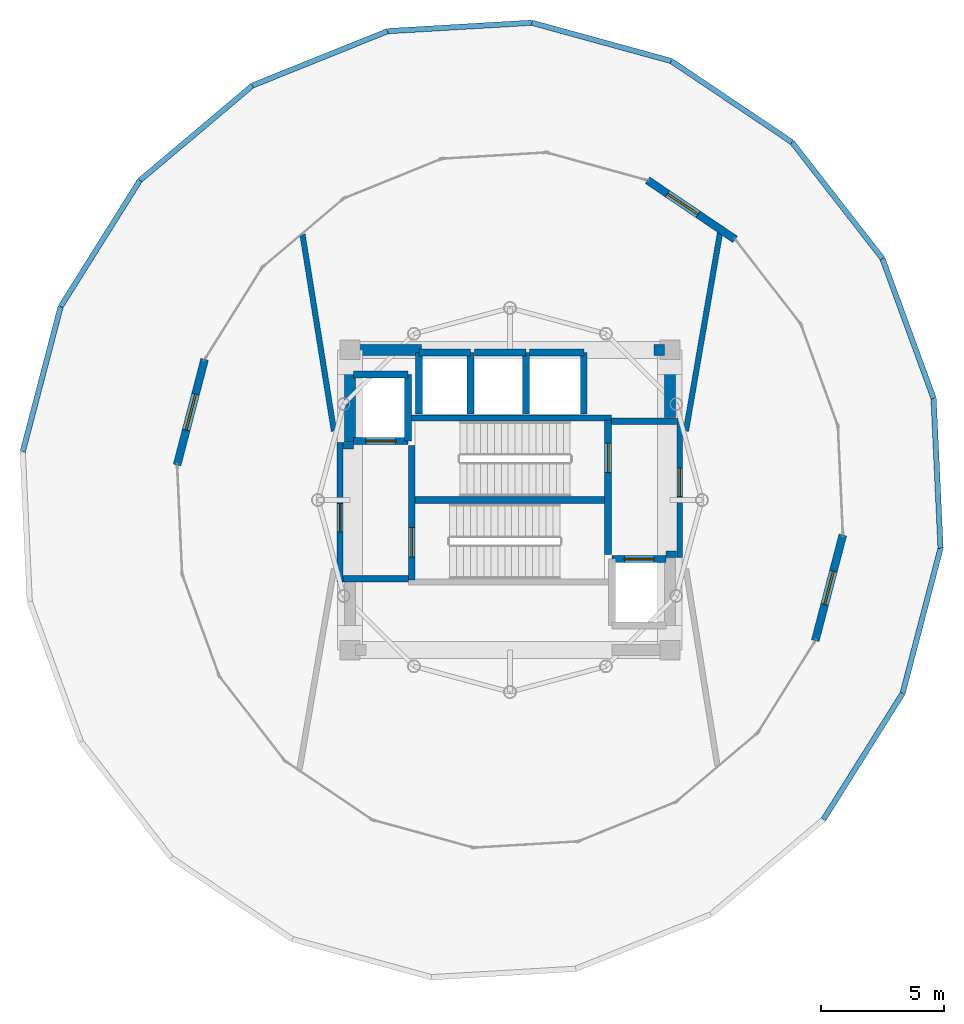
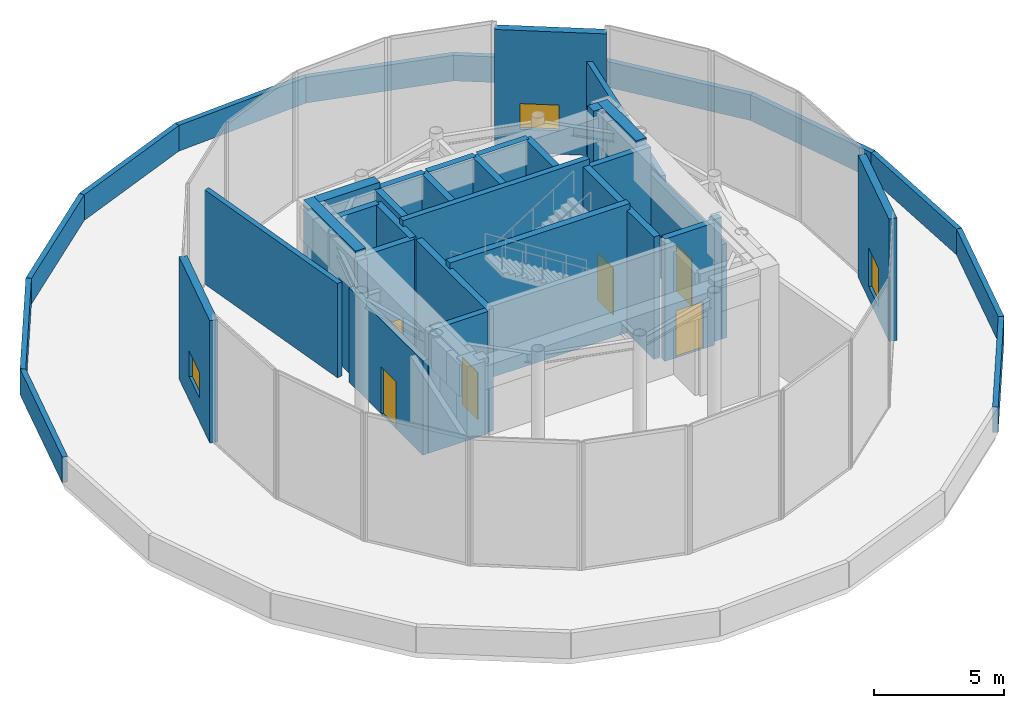
# One storey, part 10 of 12: 42 walls, 6 doors, 3 windows, 9 openings.
"""IFC4 building model written with IfcOpenShell, lengths in metres."""

import ifcopenshell
import ifcopenshell.guid

model = None  # the IFC model being written
_history = None  # IfcOwnerHistory: only IFC2X3 demands one
_inside = {}  # id of a spatial element -> (the spatial element, [elements in it])
_under = {}  # id of a project, library or spatial element -> (it, [spatial elements below it])
_declared = {}  # id of a project -> (the project, [libraries it declares])
_typed = {}  # id of a type object -> (the type object, [elements of that type])
_made_of = {}  # id of a material, layer set ... -> (it, [elements and type objects made of it])


def new_model(schema):
    """Start an empty IFC model of exactly this schema.

    Asked for "IFC4X3", IfcOpenShell would pick the latest addendum, in which some entities
    have other attributes; the version numbers below select the first issue.
    IFC2X3 requires an IfcOwnerHistory on every rooted entity: one is made here for all.
    """
    global model, _history
    if schema == "IFC4X3":
        model = ifcopenshell.file(schema_version=(4, 3, 0, 0))
    else:
        model = ifcopenshell.file(schema=schema)
    _inside.clear()
    _under.clear()
    _declared.clear()
    _typed.clear()
    _made_of.clear()
    _history = None
    if model.schema == "IFC2X3":
        org = make("IfcOrganization", Name="unknown")
        user = make(
            "IfcPersonAndOrganization",
            ThePerson=make("IfcPerson", FamilyName="unknown"),
            TheOrganization=org,
        )
        app = make(
            "IfcApplication",
            ApplicationDeveloper=org,
            Version="unknown",
            ApplicationFullName="unknown",
            ApplicationIdentifier="unknown",
        )
        _history = make(
            "IfcOwnerHistory",
            OwningUser=user,
            OwningApplication=app,
            ChangeAction="ADDED",
            CreationDate=0,
        )
    return model


def make(cls, **values):
    """One entity of the class cls with the attributes given. An attribute that is None is left unset."""
    return model.create_entity(
        cls, **{name: value for name, value in values.items() if value is not None}
    )


def rooted(cls, **values):
    """An entity with a GlobalId (a new one), such as an element, a storey or a relation."""
    return make(cls, GlobalId=ifcopenshell.guid.new(), OwnerHistory=_history, **values)


def si_unit(unit_type, name, prefix=None):
    """IfcSIUnit, for example si_unit("LENGTHUNIT", "METRE", prefix="MILLI")."""
    return make("IfcSIUnit", UnitType=unit_type, Prefix=prefix, Name=name)


def assignment(units):
    """IfcUnitAssignment: the units of a project."""
    return None if units is None else make("IfcUnitAssignment", Units=units)


def point(xyz):
    """IfcCartesianPoint."""
    return None if xyz is None else make("IfcCartesianPoint", Coordinates=xyz)


def direction(xyz):
    """IfcDirection."""
    return None if xyz is None else make("IfcDirection", DirectionRatios=xyz)


def frame(location, z_axis=None, x_axis=None):
    """IfcAxis2Placement3D, a coordinate frame: its origin and axes. An axis left out is left unset."""
    return make(
        "IfcAxis2Placement3D",
        Location=point(location),
        Axis=direction(z_axis),
        RefDirection=direction(x_axis),
    )


def frame_2d(location, x_axis=None):
    """IfcAxis2Placement2D, a coordinate frame in the plane: its origin and x axis."""
    return make(
        "IfcAxis2Placement2D", Location=point(location), RefDirection=direction(x_axis)
    )


def origin():
    """The frame at (0, 0, 0) with its axes left unset."""
    return frame((0.0, 0.0, 0.0))


def place(relative_to, where):
    """IfcLocalPlacement: puts the frame where relative to a parent placement (None: the world)."""
    return make(
        "IfcLocalPlacement", PlacementRelTo=relative_to, RelativePlacement=where
    )


def context(
    kind, dimensions, precision=None, world=None, true_north=None, identifier=None
):
    """IfcGeometricRepresentationContext, for example the 3D "Model" context."""
    return make(
        "IfcGeometricRepresentationContext",
        ContextIdentifier=identifier,
        ContextType=kind,
        CoordinateSpaceDimension=dimensions,
        Precision=precision,
        WorldCoordinateSystem=world,
        TrueNorth=true_north,
    )


def subcontext(parent, identifier, kind, view, scale=None):
    """IfcGeometricRepresentationSubContext, for example "Body" below "Model"."""
    return make(
        "IfcGeometricRepresentationSubContext",
        ContextIdentifier=identifier,
        ContextType=kind,
        ParentContext=parent,
        TargetScale=scale,
        TargetView=view,
    )


def project(units=None, contexts=None):
    """IfcProject with its units and contexts."""
    return rooted(
        "IfcProject",
        Name="project",
        RepresentationContexts=contexts,
        UnitsInContext=assignment(units),
    )


def spatial(cls, under=None, at=None, **own):
    """A site, building, storey or space (cls), placed at a placement, below another one or the project."""
    s = rooted(cls, ObjectPlacement=at, **own)
    if under is not None:
        _under.setdefault(under.id(), (under, []))[1].append(s)
    return s


def profile(cls, at=None, kind="AREA", **sizes):
    """A parametric profile (cls). Its sizes go by their IFC names, for example OverallWidth=200.0."""
    return make(cls, ProfileType=kind, Position=at, **sizes)


def rectangle(**sizes):
    """IfcRectangleProfileDef."""
    return profile("IfcRectangleProfileDef", **sizes)


def extrude(swept, where, along, depth):
    """IfcExtrudedAreaSolid: the profile swept, set in the frame where, extruded along a direction by depth."""
    return make(
        "IfcExtrudedAreaSolid",
        SweptArea=swept,
        Position=where,
        ExtrudedDirection=direction(along),
        Depth=depth,
    )


def shape(context_of_items, identifier, shape_type, items):
    """IfcShapeRepresentation: the items that make up one representation, for example the "Body"."""
    return make(
        "IfcShapeRepresentation",
        ContextOfItems=context_of_items,
        RepresentationIdentifier=identifier,
        RepresentationType=shape_type,
        Items=items,
    )


def material(Name=None, Category=None):
    """IfcMaterial."""
    return make("IfcMaterial", Name=Name, Category=Category)


def layer(
    of_material, thickness, ventilated=None, Name=None, Category=None, Priority=None
):
    """IfcMaterialLayer: one layer of a wall or slab, of a material (None: an air gap)."""
    return make(
        "IfcMaterialLayer",
        Material=of_material,
        LayerThickness=thickness,
        IsVentilated=ventilated,
        Name=Name,
        Category=Category,
        Priority=Priority,
    )


def layer_set(layers, Name=None):
    """IfcMaterialLayerSet."""
    return make("IfcMaterialLayerSet", MaterialLayers=layers, LayerSetName=Name)


def made_of(thing, what):
    """Note that an element or type object is made of a material, layer set ...; save() writes the relation."""
    if what is not None:
        _made_of.setdefault(what.id(), (what, []))[1].append(thing)
    return thing


def type_object(cls, material=None, **own):
    """A type object (cls), such as IfcWallType, which elements share."""
    return made_of(rooted(cls, **own), material)


def element(
    cls,
    number,
    at=None,
    inside=None,
    cuts=None,
    type_object=None,
    material=None,
    context=None,
    identifier="Body",
    shape_type=None,
    held_by="IfcProductDefinitionShape",
    body=None,
    shapes=None,
    **own,
):
    """One element of the class cls, such as IfcWall. Its Tag is "e" and its number.

    at: its placement. inside: the storey or other place that contains it. cuts: it is an
    opening in that element (IfcRelVoidsElement). A single representation is given by context,
    identifier, shape_type and body (its items); several are given by shapes. held_by: the class
    of the entity that holds the representations. save() writes the other relations.
    """
    e = rooted(cls, Tag="e%d" % number, ObjectPlacement=at, **own)
    if body is not None:
        shapes = [shape(context, identifier, shape_type, body)]
    if shapes is not None:
        e.Representation = make(held_by, Representations=shapes)
    if inside is not None:
        _inside.setdefault(inside.id(), (inside, []))[1].append(e)
    if cuts is not None:
        rooted(
            "IfcRelVoidsElement", RelatingBuildingElement=cuts, RelatedOpeningElement=e
        )
    if type_object is not None:
        _typed.setdefault(type_object.id(), (type_object, []))[1].append(e)
    return made_of(e, material)


def fill(opening, filler):
    """IfcRelFillsElement: the door or window that sits in an opening."""
    return rooted(
        "IfcRelFillsElement",
        RelatingOpeningElement=opening,
        RelatedBuildingElement=filler,
    )


def aggregate(whole, parts):
    """IfcRelAggregates: a whole, such as a stair, and the parts it consists of."""
    return rooted("IfcRelAggregates", RelatingObject=whole, RelatedObjects=parts)


def save(model, path):
    """Write the relations noted so far, then the file.

    IfcRelAggregates (storeys below a building ...), IfcRelContainedInSpatialStructure (elements
    in a storey), IfcRelDefinesByType, IfcRelAssociatesMaterial and IfcRelDeclares: one each for
    every whole, place, type object, material and project.
    """
    for whole, parts in _under.values():
        aggregate(whole, parts)
    for where, things in _inside.values():
        rooted(
            "IfcRelContainedInSpatialStructure",
            RelatedElements=things,
            RelatingStructure=where,
        )
    for kind, things in _typed.values():
        rooted("IfcRelDefinesByType", RelatedObjects=things, RelatingType=kind)
    for what, things in _made_of.values():
        rooted("IfcRelAssociatesMaterial", RelatedObjects=things, RelatingMaterial=what)
    for by, libraries in _declared.values():
        rooted("IfcRelDeclares", RelatingContext=by, RelatedDefinitions=libraries)
    model.write(path)


model = new_model("IFC4")

# Units and contexts
model_context = context("Model", 3, precision=1e-05, world=origin(), true_north=direction((0.0, 1.0)))
body_context = subcontext(model_context, "Body", "Model", "MODEL_VIEW")
ifc_project = project(units=[si_unit("LENGTHUNIT", "METRE"), si_unit("AREAUNIT", "SQUARE_METRE"), si_unit("VOLUMEUNIT", "CUBIC_METRE"), si_unit("PLANEANGLEUNIT", "RADIAN"), si_unit("MASSUNIT", "GRAM", prefix="KILO")], contexts=[model_context])

# Site, building, storey
site_placement = place(None, origin())
site = spatial("IfcSite", under=ifc_project, at=site_placement, CompositionType="ELEMENT")
building_placement = place(site_placement, origin())
building = spatial("IfcBuilding", under=site, at=building_placement, Name="Solvirekh Grand Hotel", CompositionType="ELEMENT")
storey_placement = place(building_placement, frame((0.0, 0.0, 302.199951171875)))
storey = spatial("IfcBuildingStorey", under=building, at=storey_placement, Name="L78", CompositionType="ELEMENT", Elevation=302.199951171875)

# Walls
ifc_material_1 = material(Name="Concrete C50/60", Category="concrete")
ifc_layer_1 = layer(ifc_material_1, 0.35009765625)
ifc_layer_set_1 = layer_set([ifc_layer_1], Name="Concrete C50/60")
wall_type_1 = type_object("IfcWallType", Name="CoreDivWall_RC350", PredefinedType="SOLIDWALL", material=ifc_layer_set_1)
wall_1_placement = place(storey_placement, frame((-4.1298828125, 3.324951171875, 0.0), z_axis=(0.0, 0.0, 1.0), x_axis=(1.0, 0.0, 0.0)))
element("IfcWall", 1, at=wall_1_placement, inside=storey, type_object=wall_type_1, Name="L78 core stair box wall ST-N", PredefinedType="SOLIDWALL", context=body_context, shape_type="SweptSolid", body=[
    extrude(rectangle(XDim=8.259765625, YDim=0.25, at=frame_2d((4.1298828125, 0.0))), origin(), (0.0, 0.0, 1.0), 6.0),
])
ifc_material_2 = material(Name="Concrete C40/50", Category="concrete")
ifc_layer_2 = layer(ifc_material_2, 0.280029296875)
ifc_layer_set_2 = layer_set([ifc_layer_2], Name="Concrete C40/50")
wall_type_2 = type_object("IfcWallType", Name="CoreShaftWall_RC280", PredefinedType="SOLIDWALL", material=ifc_layer_set_2)
wall_2_placement = place(storey_placement, frame((-1.60009765625, 6.0, 0.0), z_axis=(0.0, 0.0, 1.0), x_axis=(-1.0, 0.0, 0.0)))
element("IfcWall", 2, at=wall_2_placement, inside=storey, type_object=wall_type_2, Name="L78 HP-1 hoistway N wall", PredefinedType="SOLIDWALL", context=body_context, shape_type="SweptSolid", body=[
    extrude(rectangle(XDim=2.099853515625, YDim=0.280029296875, at=frame_2d((1.0498046875, 0.0))), origin(), (0.0, 0.0, 1.0), 5.719970703125),
])
for number, where, z_axis, x_axis, name in (
    (3, (-3.699951171875, 6.0, 0.0), (0.0, 0.0, 1.0), (0.0, -1.0, 0.0), "L78 HP-1 hoistway W wall"),
    (4, (-1.60009765625, 3.5, 0.0), (0.0, 0.0, 1.0), (0.0, 1.0, 0.0), "L78 HP-1 hoistway E wall"),
):
    element("IfcWall", number, at=place(storey_placement, frame(where, z_axis=z_axis, x_axis=x_axis)), inside=storey, type_object=wall_type_2, Name=name, PredefinedType="SOLIDWALL", context=body_context, shape_type="SweptSolid", body=[
        extrude(rectangle(XDim=2.5, YDim=0.280029296875, at=frame_2d((1.25, 0.0))), origin(), (0.0, 0.0, 1.0), 5.719970703125),
    ])
wall_3_placement = place(storey_placement, frame((0.64990234375, 6.0, 0.0), z_axis=(0.0, 0.0, 1.0), x_axis=(-1.0, 0.0, 0.0)))
element("IfcWall", 5, at=wall_3_placement, inside=storey, type_object=wall_type_2, Name="L78 HP-2 hoistway N wall", PredefinedType="SOLIDWALL", context=body_context, shape_type="SweptSolid", body=[
    extrude(rectangle(XDim=2.099853515625, YDim=0.280029296875, at=frame_2d((1.0498046875, 0.0))), origin(), (0.0, 0.0, 1.0), 5.719970703125),
])
wall_4_placement = place(storey_placement, frame((0.64990234375, 3.5, 0.0), z_axis=(0.0, 0.0, 1.0), x_axis=(0.0, 1.0, 0.0)))
element("IfcWall", 6, at=wall_4_placement, inside=storey, type_object=wall_type_2, Name="L78 HP-2 hoistway E wall", PredefinedType="SOLIDWALL", context=body_context, shape_type="SweptSolid", body=[
    extrude(rectangle(XDim=2.5, YDim=0.280029296875, at=frame_2d((1.25, 0.0))), origin(), (0.0, 0.0, 1.0), 5.719970703125),
])
wall_5_placement = place(storey_placement, frame((3.0, 6.0, 0.0), z_axis=(0.0, 0.0, 1.0), x_axis=(-1.0, 0.0, 0.0)))
element("IfcWall", 7, at=wall_5_placement, inside=storey, type_object=wall_type_2, Name="L78 EX-1 hoistway N wall", PredefinedType="SOLIDWALL", context=body_context, shape_type="SweptSolid", body=[
    extrude(rectangle(XDim=2.199951171875, YDim=0.280029296875, at=frame_2d((1.10009765625, 0.0))), origin(), (0.0, 0.0, 1.0), 5.719970703125),
])
wall_6_placement = place(storey_placement, frame((3.0, 3.5, 0.0), z_axis=(0.0, 0.0, 1.0), x_axis=(0.0, 1.0, 0.0)))
element("IfcWall", 8, at=wall_6_placement, inside=storey, type_object=wall_type_2, Name="L78 EX-1 hoistway E wall", PredefinedType="SOLIDWALL", context=body_context, shape_type="SweptSolid", body=[
    extrude(rectangle(XDim=2.5, YDim=0.280029296875, at=frame_2d((1.25, 0.0))), origin(), (0.0, 0.0, 1.0), 5.719970703125),
])

# Wall, opening, door
wall_7_placement = place(storey_placement, frame((-6.35009765625, 2.39990234375, 0.0), z_axis=(0.0, 0.0, 1.0), x_axis=(1.0, 0.0, 0.0)))
wall_7 = element("IfcWall", 9, at=wall_7_placement, inside=storey, type_object=wall_type_2, Name="L78 FL-1 hoistway S wall", PredefinedType="SOLIDWALL", context=body_context, shape_type="SweptSolid", body=[
    extrude(rectangle(XDim=2.2001953125, YDim=0.280029296875, at=frame_2d((1.10009765625, 0.0))), origin(), (0.0, 0.0, 1.0), 5.719970703125),
])
opening_1_placement = place(wall_7_placement, frame((0.5, 0.0, 0.0)))
opening_1 = element("IfcOpeningElement", 10, at=opening_1_placement, cuts=wall_7, Name="Opening LD02", PredefinedType="OPENING", context=body_context, shape_type="SweptSolid", body=[
    extrude(rectangle(XDim=1.199951171875, YDim=2.199951171875, at=frame_2d((0.60009765625, 1.10009765625))), frame((0.0, 0.14990234375, 0.0), z_axis=(0.0, -1.0, 0.0), x_axis=(1.0, 0.0, 0.0)), (0.0, 0.0, 1.0), 0.300048828125),
])
ifc_material_3 = material(Name="Fire-Rated Steel Door Assembly", Category="steel")
door_type_1 = type_object("IfcDoorType", Name="Door_LiftFF_1200X2200", OperationType="SLIDING_TO_LEFT", PredefinedType="DOOR", material=ifc_material_3)
door_1_placement = place(opening_1_placement, origin())
door_1 = element("IfcDoor", 11, at=door_1_placement, inside=storey, type_object=door_type_1, Name="L78 FL-1 sliding lift landing door", OperationType="SLIDING_TO_LEFT", OverallHeight=2.199951171875, OverallWidth=1.199951171875, PredefinedType="DOOR", context=body_context, shape_type="SweptSolid", body=[
    extrude(rectangle(XDim=1.199951171875, YDim=2.199951171875, at=frame_2d((0.60009765625, 1.10009765625))), frame((0.0, 0.02490234375, 0.0), z_axis=(0.0, -1.0, 0.0), x_axis=(1.0, 0.0, 0.0)), (0.0, 0.0, 1.0), 0.050048828125),
])
fill(opening_1, door_1)

# Walls
wall_8_placement = place(storey_placement, frame((-4.14990234375, 5.10009765625, 0.0), z_axis=(0.0, 0.0, 1.0), x_axis=(-1.0, 0.0, 0.0)))
element("IfcWall", 12, at=wall_8_placement, inside=storey, type_object=wall_type_2, Name="L78 FL-1 hoistway N wall", PredefinedType="SOLIDWALL", context=body_context, shape_type="SweptSolid", body=[
    extrude(rectangle(XDim=2.2001953125, YDim=0.280029296875, at=frame_2d((1.10009765625, 0.0))), origin(), (0.0, 0.0, 1.0), 5.719970703125),
])
wall_9_placement = place(storey_placement, frame((-4.14990234375, 2.39990234375, 0.0), z_axis=(0.0, 0.0, 1.0), x_axis=(0.0, 1.0, 0.0)))
element("IfcWall", 13, at=wall_9_placement, inside=storey, type_object=wall_type_2, Name="L78 FL-1 hoistway E wall", PredefinedType="SOLIDWALL", context=body_context, shape_type="SweptSolid", body=[
    extrude(rectangle(XDim=2.7001953125, YDim=0.280029296875, at=frame_2d((1.35009765625, 0.0))), origin(), (0.0, 0.0, 1.0), 5.719970703125),
])

# Wall, opening, door
wall_10_placement = place(storey_placement, frame((6.35009765625, -2.39990234375, 0.0), z_axis=(0.0, 0.0, 1.0), x_axis=(-1.0, 0.0, 0.0)))
wall_10 = element("IfcWall", 14, at=wall_10_placement, inside=storey, type_object=wall_type_2, Name="L78 FL-2 hoistway N wall", PredefinedType="SOLIDWALL", context=body_context, shape_type="SweptSolid", body=[
    extrude(rectangle(XDim=2.2001953125, YDim=0.280029296875, at=frame_2d((1.10009765625, 0.0))), origin(), (0.0, 0.0, 1.0), 5.719970703125),
])
opening_2_placement = place(wall_10_placement, frame((0.5, 0.0, 0.0)))
opening_2 = element("IfcOpeningElement", 15, at=opening_2_placement, cuts=wall_10, Name="Opening LD02", PredefinedType="OPENING", context=body_context, shape_type="SweptSolid", body=[
    extrude(rectangle(XDim=1.199951171875, YDim=2.199951171875, at=frame_2d((0.60009765625, 1.10009765625))), frame((0.0, 0.14990234375, 0.0), z_axis=(0.0, -1.0, 0.0), x_axis=(1.0, 0.0, 0.0)), (0.0, 0.0, 1.0), 0.300048828125),
])
door_2_placement = place(opening_2_placement, origin())
door_2 = element("IfcDoor", 16, at=door_2_placement, inside=storey, type_object=door_type_1, Name="L78 FL-2 sliding lift landing door", OperationType="SLIDING_TO_LEFT", OverallHeight=2.199951171875, OverallWidth=1.199951171875, PredefinedType="DOOR", context=body_context, shape_type="SweptSolid", body=[
    extrude(rectangle(XDim=1.199951171875, YDim=2.199951171875, at=frame_2d((0.60009765625, 1.10009765625))), frame((0.0, 0.02490234375, 0.0), z_axis=(0.0, -1.0, 0.0), x_axis=(1.0, 0.0, 0.0)), (0.0, 0.0, 1.0), 0.050048828125),
])
fill(opening_2, door_2)

wall_11_placement = place(storey_placement, frame((-3.989990234375, -3.25, 0.0), z_axis=(0.0, 0.0, 1.0), x_axis=(0.0, 1.0, 0.0)))
wall_11 = element("IfcWall", 17, at=wall_11_placement, inside=storey, type_object=wall_type_2, Name="L78 west stair landing enclosure wall", PredefinedType="SOLIDWALL", context=body_context, shape_type="SweptSolid", body=[
    extrude(rectangle(XDim=5.4599609375, YDim=0.280029296875, at=frame_2d((2.72998046875, 0.0))), origin(), (0.0, 0.0, 1.0), 5.719970703125),
])
opening_3_placement = place(wall_11_placement, frame((0.93701171875, 0.0, 0.0)))
opening_3 = element("IfcOpeningElement", 18, at=opening_3_placement, cuts=wall_11, Name="Opening D05", PredefinedType="OPENING", context=body_context, shape_type="SweptSolid", body=[
    extrude(rectangle(XDim=1.199951171875, YDim=2.199951171875, at=frame_2d((0.60009765625, 1.10009765625))), frame((0.0, 0.14990234375, 0.0), z_axis=(0.0, -1.0, 0.0), x_axis=(1.0, 0.0, 0.0)), (0.0, 0.0, 1.0), 0.300048828125),
])
door_type_2 = type_object("IfcDoorType", Name="Door_StairCore_1200X2200", OperationType="NOTDEFINED", PredefinedType="DOOR", material=ifc_material_3)
door_3_placement = place(opening_3_placement, origin())
door_3 = element("IfcDoor", 19, at=door_3_placement, inside=storey, type_object=door_type_2, Name="L78 exit stair ST-1 fire door", OperationType="SINGLE_SWING_RIGHT", OverallHeight=2.199951171875, OverallWidth=1.199951171875, PredefinedType="DOOR", context=body_context, shape_type="SweptSolid", body=[
    extrude(rectangle(XDim=1.199951171875, YDim=2.199951171875, at=frame_2d((0.60009765625, 1.10009765625))), frame((0.0, 0.02490234375, 0.0), z_axis=(0.0, -1.0, 0.0), x_axis=(1.0, 0.0, 0.0)), (0.0, 0.0, 1.0), 0.050048828125),
])
fill(opening_3, door_3)

wall_12_placement = place(storey_placement, frame((3.989990234375, -2.2099609375, 0.0), z_axis=(0.0, 0.0, 1.0), x_axis=(0.0, 1.0, 0.0)))
wall_12 = element("IfcWall", 20, at=wall_12_placement, inside=storey, type_object=wall_type_2, Name="L78 east stair landing enclosure wall", PredefinedType="SOLIDWALL", context=body_context, shape_type="SweptSolid", body=[
    extrude(rectangle(XDim=5.4599609375, YDim=0.280029296875, at=frame_2d((2.72998046875, 0.0))), origin(), (0.0, 0.0, 1.0), 5.719970703125),
])
opening_4_placement = place(wall_12_placement, frame((3.322998046875, 0.0, 0.0)))
opening_4 = element("IfcOpeningElement", 21, at=opening_4_placement, cuts=wall_12, Name="Opening D05", PredefinedType="OPENING", context=body_context, shape_type="SweptSolid", body=[
    extrude(rectangle(XDim=1.199951171875, YDim=2.199951171875, at=frame_2d((0.60009765625, 1.10009765625))), frame((0.0, 0.14990234375, 0.0), z_axis=(0.0, -1.0, 0.0), x_axis=(1.0, 0.0, 0.0)), (0.0, 0.0, 1.0), 0.300048828125),
])
door_4_placement = place(opening_4_placement, origin())
door_4 = element("IfcDoor", 22, at=door_4_placement, inside=storey, type_object=door_type_2, Name="L78 exit stair ST-2 fire door", OperationType="SINGLE_SWING_LEFT", OverallHeight=2.199951171875, OverallWidth=1.199951171875, PredefinedType="DOOR", context=body_context, shape_type="SweptSolid", body=[
    extrude(rectangle(XDim=1.199951171875, YDim=2.199951171875, at=frame_2d((0.60009765625, 1.10009765625))), frame((0.0, 0.02490234375, 0.0), z_axis=(0.0, -1.0, 0.0), x_axis=(1.0, 0.0, 0.0)), (0.0, 0.0, 1.0), 0.050048828125),
])
fill(opening_4, door_4)

# Walls
ifc_layer_3 = layer(ifc_material_1, 0.449951171875)
ifc_layer_set_3 = layer_set([ifc_layer_3], Name="Concrete C50/60")
wall_type_3 = type_object("IfcWallType", Name="CoreWall_RC450", PredefinedType="SHEAR", material=ifc_layer_set_3)
wall_13_placement = place(storey_placement, frame((-3.989990234375, 0.0, 0.0), z_axis=(0.0, 0.0, 1.0), x_axis=(1.0, 0.0, 0.0)))
element("IfcWall", 23, at=wall_13_placement, inside=storey, type_object=wall_type_3, Name="L78 central stair-spine shear wall", PredefinedType="SHEAR", context=body_context, shape_type="SweptSolid", body=[
    extrude(rectangle(XDim=7.97998046875, YDim=0.300048828125, at=frame_2d((3.989990234375, 0.0))), origin(), (0.0, 0.0, 1.0), 6.0),
])
wall_14_placement = place(storey_placement, frame((-6.27490234375, 6.10009765625, 0.0), z_axis=(0.0, 0.0, 1.0), x_axis=(1.0, 0.0, 0.0)))
element("IfcWall", 24, at=wall_14_placement, inside=storey, type_object=wall_type_3, Name="L78 core corner shear wall NW-N", PredefinedType="SHEAR", context=body_context, shape_type="SweptSolid", body=[
    extrude(rectangle(XDim=2.6748046875, YDim=0.449951171875, at=frame_2d((1.33740234375, 0.0))), origin(), (0.0, 0.0, 1.0), 6.0),
])
wall_15_placement = place(storey_placement, frame((5.85009765625, 6.10009765625, 0.0), z_axis=(0.0, 0.0, 1.0), x_axis=(1.0, 0.0, 0.0)))
element("IfcWall", 25, at=wall_15_placement, inside=storey, type_object=wall_type_3, Name="L78 core corner shear wall NE-N", PredefinedType="SHEAR", context=body_context, shape_type="SweptSolid", body=[
    extrude(rectangle(XDim=0.4248046875, YDim=0.449951171875, at=frame_2d((0.21240234375, 0.0))), origin(), (0.0, 0.0, 1.0), 6.0),
])
wall_16_placement = place(storey_placement, frame((-6.5, 2.35009765625, 0.0), z_axis=(0.0, 0.0, 1.0), x_axis=(0.0, 1.0, 0.0)))
element("IfcWall", 26, at=wall_16_placement, inside=storey, type_object=wall_type_3, Name="L78 core corner shear wall WN-W", PredefinedType="SHEAR", context=body_context, shape_type="SweptSolid", body=[
    extrude(rectangle(XDim=3.974853515625, YDim=0.449951171875, at=frame_2d((1.9873046875, 0.0))), origin(), (0.0, 0.0, 1.0), 6.0),
])
wall_17_placement = place(storey_placement, frame((6.5, 3.35009765625, 0.0), z_axis=(0.0, 0.0, 1.0), x_axis=(0.0, 1.0, 0.0)))
element("IfcWall", 27, at=wall_17_placement, inside=storey, type_object=wall_type_3, Name="L78 core corner shear wall EN-E", PredefinedType="SHEAR", context=body_context, shape_type="SweptSolid", body=[
    extrude(rectangle(XDim=2.974853515625, YDim=0.449951171875, at=frame_2d((1.4873046875, 0.0))), origin(), (0.0, 0.0, 1.0), 6.0),
])

# Wall, opening, window
ifc_material_4 = material(Name="Precast concrete C45/55", Category="concrete")
ifc_layer_4 = layer(ifc_material_4, 0.320068359375)
ifc_layer_set_4 = layer_set([ifc_layer_4], Name="Precast concrete C45/55")
wall_type_4 = type_object("IfcWallType", Name="ExtLobbyWall_RC320", PredefinedType="SOLIDWALL", material=ifc_layer_set_4)
wall_18_placement = place(storey_placement, frame((13.52490234375, -1.422119140625, 0.0), z_axis=(0.0, 0.0, 1.0), x_axis=(-0.252361427014, -0.967633045196, 0.0)))
wall_18 = element("IfcWall", 28, at=wall_18_placement, inside=storey, type_object=wall_type_4, Name="L78 exterior structural wall chord 5", PredefinedType="SOLIDWALL", context=body_context, shape_type="SweptSolid", body=[
    extrude(rectangle(XDim=4.4375, YDim=0.320068359375, at=frame_2d((2.21875, 0.0))), origin(), (0.0, 0.0, 1.0), 5.719970703125),
])
opening_5_placement = place(wall_18_placement, frame((1.51904296875, 0.0, 0.60009765625)))
opening_5 = element("IfcOpeningElement", 29, at=opening_5_placement, cuts=wall_18, Name="Opening SK03", PredefinedType="OPENING", context=body_context, shape_type="SweptSolid", body=[
    extrude(rectangle(XDim=1.39990234375, YDim=1.800048828125, at=frame_2d((0.699951171875, 0.89990234375))), frame((0.0, 0.169921875, 0.0), z_axis=(0.0, -1.0, 0.0), x_axis=(1.0, 0.0, 0.0)), (0.0, 0.0, 1.0), 0.340087890625),
])
ifc_material_5 = material(Name="Champagne Low-Iron Crown Laminated Glass", Category="glass")
window_type_1 = type_object("IfcWindowType", Name="Skylight_Crown_1400X1800", PartitioningType="SINGLE_PANEL", PredefinedType="SKYLIGHT", material=ifc_material_5)
window_1_placement = place(opening_5_placement, origin())
window_1 = element("IfcWindow", 30, at=window_1_placement, inside=storey, type_object=window_type_1, Name="L78 high-level clerestory skylight 5", OverallHeight=1.800048828125, OverallWidth=1.39990234375, PartitioningType="SINGLE_PANEL", PredefinedType="SKYLIGHT", context=body_context, shape_type="SweptSolid", body=[
    extrude(rectangle(XDim=1.39990234375, YDim=1.800048828125, at=frame_2d((0.699951171875, 0.89990234375))), frame((0.0, 0.030029296875, 0.0), z_axis=(0.0, -1.0, 0.0), x_axis=(1.0, 0.0, 0.0)), (0.0, 0.0, 1.0), 0.06005859375),
])
fill(opening_5, window_1)

wall_19_placement = place(storey_placement, frame((5.591064453125, 12.991943359375, 0.0), z_axis=(0.0, 0.0, 1.0), x_axis=(0.828958724837, -0.559309782247, 0.0)))
wall_19 = element("IfcWall", 31, at=wall_19_placement, inside=storey, type_object=wall_type_4, Name="L78 exterior structural wall chord 9", PredefinedType="SOLIDWALL", context=body_context, shape_type="SweptSolid", body=[
    extrude(rectangle(XDim=4.29443359375, YDim=0.320068359375, at=frame_2d((2.147216796875, 0.0))), origin(), (0.0, 0.0, 1.0), 5.719970703125),
])
opening_6_placement = place(wall_19_placement, frame((0.97412109375, 0.0, 1.10009765625)))
opening_6 = element("IfcOpeningElement", 32, at=opening_6_placement, cuts=wall_19, Name="Opening W05", PredefinedType="OPENING", context=body_context, shape_type="SweptSolid", body=[
    extrude(rectangle(XDim=1.5, YDim=1.199951171875, at=frame_2d((0.75, 0.60009765625))), frame((0.0, 0.169921875, 0.0), z_axis=(0.0, -1.0, 0.0), x_axis=(1.0, 0.0, 0.0)), (0.0, 0.0, 1.0), 0.340087890625),
])
ifc_material_6 = material(Name="Low-E Tinted Bronze Laminated Glass", Category="aluminium")
window_type_2 = type_object("IfcWindowType", Name="Win_PlantVent_1500X1200", PartitioningType="SINGLE_PANEL", PredefinedType="WINDOW", material=ifc_material_6)
window_2_placement = place(opening_6_placement, origin())
window_2 = element("IfcWindow", 33, at=window_2_placement, inside=storey, type_object=window_type_2, Name="L78 mechanical louvre window 9", OverallHeight=1.199951171875, OverallWidth=1.5, PartitioningType="SINGLE_PANEL", PredefinedType="WINDOW", context=body_context, shape_type="SweptSolid", body=[
    extrude(rectangle(XDim=1.5, YDim=1.199951171875, at=frame_2d((0.75, 0.60009765625))), frame((0.0, 0.030029296875, 0.0), z_axis=(0.0, -1.0, 0.0), x_axis=(1.0, 0.0, 0.0)), (0.0, 0.0, 1.0), 0.06005859375),
])
fill(opening_6, window_2)

wall_20_placement = place(storey_placement, frame((-13.52490234375, 1.422119140625, 0.0), z_axis=(0.0, 0.0, 1.0), x_axis=(0.252361427014, 0.967633045196, 0.0)))
wall_20 = element("IfcWall", 34, at=wall_20_placement, inside=storey, type_object=wall_type_4, Name="L78 exterior structural wall chord 15", PredefinedType="SOLIDWALL", context=body_context, shape_type="SweptSolid", body=[
    extrude(rectangle(XDim=4.4375, YDim=0.320068359375, at=frame_2d((2.21875, 0.0))), origin(), (0.0, 0.0, 1.0), 5.719970703125),
])
opening_7_placement = place(wall_20_placement, frame((1.468994140625, 0.0, 1.10009765625)))
opening_7 = element("IfcOpeningElement", 35, at=opening_7_placement, cuts=wall_20, Name="Opening W05", PredefinedType="OPENING", context=body_context, shape_type="SweptSolid", body=[
    extrude(rectangle(XDim=1.5, YDim=1.199951171875, at=frame_2d((0.75, 0.60009765625))), frame((0.0, 0.169921875, 0.0), z_axis=(0.0, -1.0, 0.0), x_axis=(1.0, 0.0, 0.0)), (0.0, 0.0, 1.0), 0.340087890625),
])
window_3_placement = place(opening_7_placement, origin())
window_3 = element("IfcWindow", 36, at=window_3_placement, inside=storey, type_object=window_type_2, Name="L78 mechanical louvre window 15", OverallHeight=1.199951171875, OverallWidth=1.5, PartitioningType="SINGLE_PANEL", PredefinedType="WINDOW", context=body_context, shape_type="SweptSolid", body=[
    extrude(rectangle(XDim=1.5, YDim=1.199951171875, at=frame_2d((0.75, 0.60009765625))), frame((0.0, 0.030029296875, 0.0), z_axis=(0.0, -1.0, 0.0), x_axis=(1.0, 0.0, 0.0)), (0.0, 0.0, 1.0), 0.06005859375),
])
fill(opening_7, window_3)

# Walls
ifc_layer_5 = layer(ifc_material_4, 0.219970703125)
ifc_layer_set_5 = layer_set([ifc_layer_5], Name="Precast concrete C45/55")
wall_type_5 = type_object("IfcWallType", Name="ExtParapet_RC220", PredefinedType="PARAPET", material=ifc_layer_set_5)
wall_21_placement = place(storey_placement, frame((12.738037109375, -12.985107421875, 0.0), z_axis=(0.0, 0.0, 1.0), x_axis=(0.53141560639, 0.847111240207, 0.0)))
element("IfcWall", 37, at=wall_21_placement, inside=storey, type_object=wall_type_5, Name="L78 crown plant setback parapet 4", PredefinedType="PARAPET", context=body_context, shape_type="SweptSolid", body=[
    extrude(rectangle(XDim=6.0537109375, YDim=0.219970703125, at=frame_2d((3.02685546875, 0.0))), origin(), (0.0, 0.0, 1.0), 1.199951171875),
])
wall_22_placement = place(storey_placement, frame((15.955078125, -7.85693359375, 0.0), z_axis=(0.0, 0.0, 1.0), x_axis=(0.252982756274, 0.967470787687, 0.0)))
element("IfcWall", 38, at=wall_22_placement, inside=storey, type_object=wall_type_5, Name="L78 crown plant setback parapet 5", PredefinedType="PARAPET", context=body_context, shape_type="SweptSolid", body=[
    extrude(rectangle(XDim=6.09521484375, YDim=0.219970703125, at=frame_2d((3.047607421875, 0.0))), origin(), (0.0, 0.0, 1.0), 1.199951171875),
])
wall_23_placement = place(storey_placement, frame((17.4970703125, -1.9599609375, 0.0), z_axis=(0.0, 0.0, 1.0), x_axis=(-0.046421432771, 0.998921944188, 0.0)))
element("IfcWall", 39, at=wall_23_placement, inside=storey, type_object=wall_type_5, Name="L78 crown plant setback parapet 6", PredefinedType="PARAPET", context=body_context, shape_type="SweptSolid", body=[
    extrude(rectangle(XDim=6.095458984375, YDim=0.219970703125, at=frame_2d((3.0478515625, 0.0))), origin(), (0.0, 0.0, 1.0), 1.199951171875),
])
wall_24_placement = place(storey_placement, frame((17.214111328125, 4.12890625, 0.0), z_axis=(0.0, 0.0, 1.0), x_axis=(-0.343659619529, 0.939094279562, 0.0)))
element("IfcWall", 40, at=wall_24_placement, inside=storey, type_object=wall_type_5, Name="L78 crown plant setback parapet 7", PredefinedType="PARAPET", context=body_context, shape_type="SweptSolid", body=[
    extrude(rectangle(XDim=6.052734375, YDim=0.219970703125, at=frame_2d((3.0263671875, 0.0))), origin(), (0.0, 0.0, 1.0), 1.199951171875),
])
wall_25_placement = place(storey_placement, frame((15.134033203125, 9.81298828125, 0.0), z_axis=(0.0, 0.0, 1.0), x_axis=(-0.613915195136, 0.78937198657, 0.0)))
element("IfcWall", 41, at=wall_25_placement, inside=storey, type_object=wall_type_5, Name="L78 crown plant setback parapet 8", PredefinedType="PARAPET", context=body_context, shape_type="SweptSolid", body=[
    extrude(rectangle(XDim=5.984619140625, YDim=0.219970703125, at=frame_2d((2.9921875, 0.0))), origin(), (0.0, 0.0, 1.0), 1.199951171875),
])
wall_26_placement = place(storey_placement, frame((11.4599609375, 14.537109375, 0.0), z_axis=(0.0, 0.0, 1.0), x_axis=(-0.829846852756, 0.557991219439, 0.0)))
element("IfcWall", 42, at=wall_26_placement, inside=storey, type_object=wall_type_5, Name="L78 crown plant setback parapet 9", PredefinedType="PARAPET", context=body_context, shape_type="SweptSolid", body=[
    extrude(rectangle(XDim=5.91552734375, YDim=0.219970703125, at=frame_2d((2.957763671875, 0.0))), origin(), (0.0, 0.0, 1.0), 1.199951171875),
])
wall_27_placement = place(storey_placement, frame((6.551025390625, 17.837890625, 0.0), z_axis=(0.0, 0.0, 1.0), x_axis=(-0.96429992485, 0.26481249014, 0.0)))
element("IfcWall", 43, at=wall_27_placement, inside=storey, type_object=wall_type_5, Name="L78 crown plant setback parapet 10", PredefinedType="PARAPET", context=body_context, shape_type="SweptSolid", body=[
    extrude(rectangle(XDim=5.872802734375, YDim=0.219970703125, at=frame_2d((2.9365234375, 0.0))), origin(), (0.0, 0.0, 1.0), 1.199951171875),
])
wall_28_placement = place(storey_placement, frame((0.887939453125, 19.39306640625, 0.0), z_axis=(0.0, 0.0, 1.0), x_axis=(-0.998292390196, -0.058414926835, 0.0)))
element("IfcWall", 44, at=wall_28_placement, inside=storey, type_object=wall_type_5, Name="L78 crown plant setback parapet 11", PredefinedType="PARAPET", context=body_context, shape_type="SweptSolid", body=[
    extrude(rectangle(XDim=5.8720703125, YDim=0.219970703125, at=frame_2d((2.93603515625, 0.0))), origin(), (0.0, 0.0, 1.0), 1.199951171875),
])
wall_29_placement = place(storey_placement, frame((-4.97412109375, 19.050048828125, 0.0), z_axis=(0.0, 0.0, 1.0), x_axis=(-0.927666169785, -0.373410601665, 0.0)))
element("IfcWall", 45, at=wall_29_placement, inside=storey, type_object=wall_type_5, Name="L78 crown plant setback parapet 12", PredefinedType="PARAPET", context=body_context, shape_type="SweptSolid", body=[
    extrude(rectangle(XDim=5.915771484375, YDim=0.219970703125, at=frame_2d((2.9580078125, 0.0))), origin(), (0.0, 0.0, 1.0), 1.199951171875),
])
wall_30_placement = place(storey_placement, frame((-10.4619140625, 16.841064453125, 0.0), z_axis=(0.0, 0.0, 1.0), x_axis=(-0.764718613024, -0.644364371218, 0.0)))
element("IfcWall", 46, at=wall_30_placement, inside=storey, type_object=wall_type_5, Name="L78 crown plant setback parapet 13", PredefinedType="PARAPET", context=body_context, shape_type="SweptSolid", body=[
    extrude(rectangle(XDim=5.984130859375, YDim=0.219970703125, at=frame_2d((2.9921875, 0.0))), origin(), (0.0, 0.0, 1.0), 1.199951171875),
])
wall_31_placement = place(storey_placement, frame((-15.0380859375, 12.985107421875, 0.0), z_axis=(0.0, 0.0, 1.0), x_axis=(-0.531386665451, -0.847129394945, 0.0)))
element("IfcWall", 47, at=wall_31_placement, inside=storey, type_object=wall_type_5, Name="L78 crown plant setback parapet 14", PredefinedType="PARAPET", context=body_context, shape_type="SweptSolid", body=[
    extrude(rectangle(XDim=6.0537109375, YDim=0.219970703125, at=frame_2d((3.02685546875, 0.0))), origin(), (0.0, 0.0, 1.0), 1.199951171875),
])
wall_32_placement = place(storey_placement, frame((-18.2548828125, 7.85693359375, 0.0), z_axis=(0.0, 0.0, 1.0), x_axis=(-0.253020246488, -0.967460983641, 0.0)))
element("IfcWall", 48, at=wall_32_placement, inside=storey, type_object=wall_type_5, Name="L78 crown plant setback parapet 15", PredefinedType="PARAPET", context=body_context, shape_type="SweptSolid", body=[
    extrude(rectangle(XDim=6.09521484375, YDim=0.219970703125, at=frame_2d((3.047607421875, 0.0))), origin(), (0.0, 0.0, 1.0), 1.199951171875),
])

# Wall, opening, door
ifc_material_7 = material(Name="Acoustic Gypsum Partition Assembly")
ifc_layer_6 = layer(ifc_material_7, 0.239990234375)
ifc_layer_set_6 = layer_set([ifc_layer_6], Name="Acoustic Gypsum Partition Assembly")
wall_type_6 = type_object("IfcWallType", Name="Part_Corridor_240", PredefinedType="PARTITIONING", material=ifc_layer_set_6)
wall_33_placement = place(storey_placement, frame((-6.89990234375, -3.330078125, 0.0), z_axis=(0.0, 0.0, 1.0), x_axis=(0.0, 1.0, 0.0)))
wall_33 = element("IfcWall", 49, at=wall_33_placement, inside=storey, type_object=wall_type_6, Name="L78 west firefighting lobby smoke screen wall", PredefinedType="PARTITIONING", context=body_context, shape_type="SweptSolid", body=[
    extrude(rectangle(XDim=5.670166015625, YDim=0.239990234375, at=frame_2d((2.8349609375, 0.0))), origin(), (0.0, 0.0, 1.0), 4.405029296875),
])
opening_8_placement = place(wall_33_placement, frame((2.033935546875, 0.0, 0.0)))
opening_8 = element("IfcOpeningElement", 50, at=opening_8_placement, cuts=wall_33, Name="Opening D06", PredefinedType="OPENING", context=body_context, shape_type="SweptSolid", body=[
    extrude(rectangle(XDim=1.14990234375, YDim=2.199951171875, at=frame_2d((0.574951171875, 1.10009765625))), frame((0.0, 0.1298828125, 0.0), z_axis=(0.0, -1.0, 0.0), x_axis=(1.0, 0.0, 0.0)), (0.0, 0.0, 1.0), 0.260009765625),
])
door_type_3 = type_object("IfcDoorType", Name="Door_FFLobby_1150X2200", OperationType="NOTDEFINED", PredefinedType="DOOR", material=ifc_material_3)
door_5_placement = place(opening_8_placement, origin())
door_5 = element("IfcDoor", 51, at=door_5_placement, inside=storey, type_object=door_type_3, Name="L78 west firefighting lobby smoke door", OperationType="SINGLE_SWING_RIGHT", OverallHeight=2.199951171875, OverallWidth=1.14990234375, PredefinedType="DOOR", context=body_context, shape_type="SweptSolid", body=[
    extrude(rectangle(XDim=1.14990234375, YDim=2.199951171875, at=frame_2d((0.574951171875, 1.10009765625))), frame((0.0, 0.02490234375, 0.0), z_axis=(0.0, -1.0, 0.0), x_axis=(1.0, 0.0, 0.0)), (0.0, 0.0, 1.0), 0.050048828125),
])
fill(opening_8, door_5)

wall_34_placement = place(storey_placement, frame((6.89990234375, -2.340087890625, 0.0), z_axis=(0.0, 0.0, 1.0), x_axis=(0.0, 1.0, 0.0)))
wall_34 = element("IfcWall", 52, at=wall_34_placement, inside=storey, type_object=wall_type_6, Name="L78 east firefighting lobby smoke screen wall", PredefinedType="PARTITIONING", context=body_context, shape_type="SweptSolid", body=[
    extrude(rectangle(XDim=5.670166015625, YDim=0.239990234375, at=frame_2d((2.8349609375, 0.0))), origin(), (0.0, 0.0, 1.0), 4.405029296875),
])
opening_9_placement = place(wall_34_placement, frame((2.486083984375, 0.0, 0.0)))
opening_9 = element("IfcOpeningElement", 53, at=opening_9_placement, cuts=wall_34, Name="Opening D06", PredefinedType="OPENING", context=body_context, shape_type="SweptSolid", body=[
    extrude(rectangle(XDim=1.14990234375, YDim=2.199951171875, at=frame_2d((0.574951171875, 1.10009765625))), frame((0.0, 0.1298828125, 0.0), z_axis=(0.0, -1.0, 0.0), x_axis=(1.0, 0.0, 0.0)), (0.0, 0.0, 1.0), 0.260009765625),
])
door_6_placement = place(opening_9_placement, origin())
door_6 = element("IfcDoor", 54, at=door_6_placement, inside=storey, type_object=door_type_3, Name="L78 east firefighting lobby smoke door", OperationType="SINGLE_SWING_LEFT", OverallHeight=2.199951171875, OverallWidth=1.14990234375, PredefinedType="DOOR", context=body_context, shape_type="SweptSolid", body=[
    extrude(rectangle(XDim=1.14990234375, YDim=2.199951171875, at=frame_2d((0.574951171875, 1.10009765625))), frame((0.0, 0.02490234375, 0.0), z_axis=(0.0, -1.0, 0.0), x_axis=(1.0, 0.0, 0.0)), (0.0, 0.0, 1.0), 0.050048828125),
])
fill(opening_9, door_6)

# Walls
ifc_layer_7 = layer(ifc_material_7, 0.260009765625)
ifc_layer_set_7 = layer_set([ifc_layer_7], Name="Acoustic Gypsum Partition Assembly")
wall_type_7 = type_object("IfcWallType", Name="Part_LobbyFF_260", PredefinedType="PARTITIONING", material=ifc_layer_set_7)
wall_35_placement = place(storey_placement, frame((-6.77490234375, -3.199951171875, 0.0), z_axis=(0.0, 0.0, 1.0), x_axis=(1.0, 0.0, 0.0)))
element("IfcWall", 55, at=wall_35_placement, inside=storey, type_object=wall_type_7, Name="L78 west firefighting lobby south partition", PredefinedType="PARTITIONING", context=body_context, shape_type="SweptSolid", body=[
    extrude(rectangle(XDim=2.64501953125, YDim=0.260009765625, at=frame_2d((1.322509765625, 0.0))), origin(), (0.0, 0.0, 1.0), 5.719970703125),
])
for number, where, z_axis, x_axis, name in (
    (56, (-6.77490234375, 2.2099609375, 0.0), (0.0, 0.0, 1.0), (1.0, 0.0, 0.0), "L78 west firefighting lobby NW cheek"),
    (57, (6.35009765625, -2.2099609375, 0.0), (0.0, 0.0, 1.0), (1.0, 0.0, 0.0), "L78 east firefighting lobby SE cheek"),
):
    element("IfcWall", number, at=place(storey_placement, frame(where, z_axis=z_axis, x_axis=x_axis)), inside=storey, type_object=wall_type_7, Name=name, PredefinedType="PARTITIONING", context=body_context, shape_type="SweptSolid", body=[
        extrude(rectangle(XDim=0.4248046875, YDim=0.260009765625, at=frame_2d((0.21240234375, 0.0))), origin(), (0.0, 0.0, 1.0), 5.719970703125),
    ])
wall_36_placement = place(storey_placement, frame((4.1298828125, 3.199951171875, 0.0), z_axis=(0.0, 0.0, 1.0), x_axis=(1.0, 0.0, 0.0)))
element("IfcWall", 58, at=wall_36_placement, inside=storey, type_object=wall_type_7, Name="L78 east firefighting lobby north partition", PredefinedType="PARTITIONING", context=body_context, shape_type="SweptSolid", body=[
    extrude(rectangle(XDim=2.64501953125, YDim=0.260009765625, at=frame_2d((1.322509765625, 0.0))), origin(), (0.0, 0.0, 1.0), 5.719970703125),
])
ifc_layer_8 = layer(ifc_material_4, 0.22509765625)
ifc_layer_set_8 = layer_set([ifc_layer_8], Name="Precast concrete C45/55")
wall_type_8 = type_object("IfcWallType", Name="Part_Plant_225", PredefinedType="PARTITIONING", material=ifc_layer_set_8)
wall_37_placement = place(storey_placement, frame((-7.14990234375, 2.800048828125, 0.0), z_axis=(0.0, 0.0, 1.0), x_axis=(-0.157989324062, 0.987440820243, 0.0)))
element("IfcWall", 59, at=wall_37_placement, inside=storey, type_object=wall_type_8, Name="L78 west crown plant north wall", PredefinedType="PARTITIONING", context=body_context, shape_type="SweptSolid", body=[
    extrude(rectangle(XDim=8.089599609375, YDim=0.22509765625, at=frame_2d((4.044921875, 0.0))), origin(), (0.0, 0.0, 1.0), 4.405029296875),
])
wall_38_placement = place(storey_placement, frame((7.14990234375, 2.800048828125, 0.0), z_axis=(0.0, 0.0, 1.0), x_axis=(0.169626996892, 0.985508336812, 0.0)))
element("IfcWall", 60, at=wall_38_placement, inside=storey, type_object=wall_type_8, Name="L78 east crown plant north wall", PredefinedType="PARTITIONING", context=body_context, shape_type="SweptSolid", body=[
    extrude(rectangle(XDim=8.265869140625, YDim=0.22509765625, at=frame_2d((4.1328125, 0.0))), origin(), (0.0, 0.0, 1.0), 4.405029296875),
])

save(model, "model.ifc")
